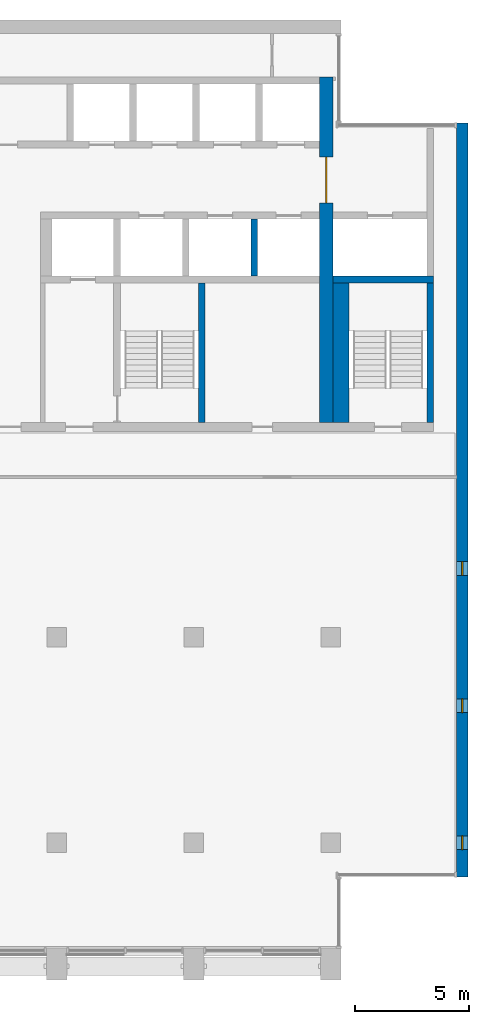
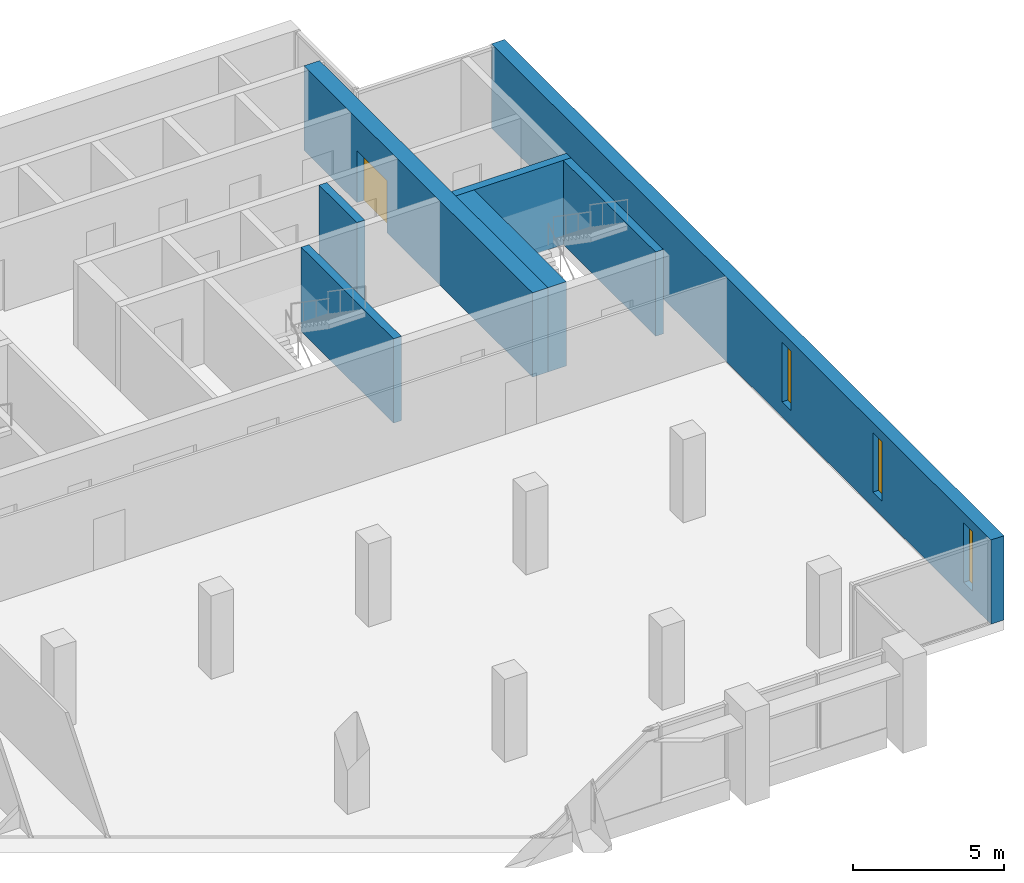
# One storey, part 9 of 14: 7 walls, 3 windows, 1 door, 4 openings.
"""IFC4 building model written with IfcOpenShell, lengths in metres."""

from ifc_helpers import new_model, si_unit, direction, frame, frame_2d, origin, place, context, subcontext, project, spatial, rectangle, extrude, material, layer, layer_set, type_object, element, fill, save


model = new_model("IFC4")

# Units and contexts
model_context = context("Model", 3, precision=1e-05, world=origin(), true_north=direction((0.0, 1.0)))
body_context = subcontext(model_context, "Body", "Model", "MODEL_VIEW")
ifc_project = project(units=[si_unit("LENGTHUNIT", "METRE"), si_unit("AREAUNIT", "SQUARE_METRE"), si_unit("VOLUMEUNIT", "CUBIC_METRE"), si_unit("PLANEANGLEUNIT", "RADIAN"), si_unit("MASSUNIT", "GRAM", prefix="KILO")], contexts=[model_context])

# Site, building, storey
site_placement = place(None, origin())
site = spatial("IfcSite", under=ifc_project, at=site_placement, CompositionType="ELEMENT")
building_placement = place(site_placement, origin())
building = spatial("IfcBuilding", under=site, at=building_placement, Name="Calvaro Tower", CompositionType="ELEMENT")
storey_placement = place(building_placement, frame((0.0, 0.0, 250.75)))
storey = spatial("IfcBuildingStorey", under=building, at=storey_placement, Name="L63", CompositionType="ELEMENT", Elevation=250.75)

# Walls
ifc_material_1 = material(Name="Concrete C40/50", Category="concrete")
ifc_layer_1 = layer(ifc_material_1, 0.300048828125)
ifc_layer_set_1 = layer_set([ifc_layer_1], Name="Concrete C40/50")
wall_type_1 = type_object("IfcWallType", Name="Core wall C40/50 300", PredefinedType="SHEAR", material=ifc_layer_set_1)
for number, where, z_axis, x_axis, name in (
    (1, (54.35009765625, 28.39990234375, 0.0), (0.0, 0.0, 1.0), (0.0, 1.0, 0.0), "Core wall, stair enclosure"),
    (2, (64.35009765625, 28.39990234375, 0.0), (0.0, 0.0, 1.0), (0.0, 1.0, 0.0), "Core wall, stair enclosure"),
):
    element("IfcWall", number, at=place(storey_placement, frame(where, z_axis=z_axis, x_axis=x_axis)), inside=storey, type_object=wall_type_1, Name=name, PredefinedType="SHEAR", context=body_context, shape_type="SweptSolid", body=[
        extrude(rectangle(XDim=6.10009765625, YDim=0.300048828125, at=frame_2d((3.050048828125, 0.0))), origin(), (0.0, 0.0, 1.0), 3.39990234375),
    ])
wall_1_placement = place(storey_placement, frame((60.10009765625, 34.64990234375, 0.0), z_axis=(0.0, 0.0, 1.0), x_axis=(1.0, 0.0, 0.0)))
element("IfcWall", 3, at=wall_1_placement, inside=storey, type_object=wall_type_1, Name="Core wall, lift shaft", PredefinedType="SHEAR", context=body_context, shape_type="SweptSolid", body=[
    extrude(rectangle(XDim=4.39990234375, YDim=0.300048828125, at=frame_2d((2.199951171875, 0.0))), origin(), (0.0, 0.0, 1.0), 3.39990234375),
])
wall_2_placement = place(storey_placement, frame((56.64990234375, 34.800048828125, 0.0), z_axis=(0.0, 0.0, 1.0), x_axis=(0.0, 1.0, 0.0)))
element("IfcWall", 4, at=wall_2_placement, inside=storey, type_object=wall_type_1, Name="Core wall, lift shaft", PredefinedType="SHEAR", context=body_context, shape_type="SweptSolid", body=[
    extrude(rectangle(XDim=2.5, YDim=0.300048828125, at=frame_2d((1.25, 0.0))), origin(), (0.0, 0.0, 1.0), 3.39990234375),
])

# Wall, opening, door
ifc_material_2 = material(Name="Concrete C40/50", Category="concrete")
ifc_layer_2 = layer(ifc_material_2, 0.60009765625)
ifc_layer_set_2 = layer_set([ifc_layer_2], Name="Concrete C40/50")
wall_type_2 = type_object("IfcWallType", Name="Core wall C40/50 600", PredefinedType="SHEAR", material=ifc_layer_set_2)
wall_3_placement = place(storey_placement, frame((59.800048828125, 28.39990234375, 0.0), z_axis=(0.0, 0.0, 1.0), x_axis=(0.0, 1.0, 0.0)))
wall_3 = element("IfcWall", 5, at=wall_3_placement, inside=storey, type_object=wall_type_2, Name="Core wall, cross shear wall", PredefinedType="SHEAR", context=body_context, shape_type="SweptSolid", body=[
    extrude(rectangle(XDim=15.10009765625, YDim=0.60009765625, at=frame_2d((7.550048828125, 0.0))), origin(), (0.0, 0.0, 1.0), 3.39990234375),
])
opening_1_placement = place(wall_3_placement, frame((9.60009765625, 0.0, 0.0)))
opening_1 = element("IfcOpeningElement", 6, at=opening_1_placement, cuts=wall_3, Name="Opening DD20D", PredefinedType="OPENING", context=body_context, shape_type="SweptSolid", body=[
    extrude(rectangle(XDim=2.0, YDim=2.10009765625, at=frame_2d((1.0, 1.050048828125))), frame((0.0, 0.31005859375, 0.0), z_axis=(0.0, -1.0, 0.0), x_axis=(1.0, 0.0, 0.0)), (0.0, 0.0, 1.0), 0.6201171875),
])
ifc_material_3 = material(Name="Steel door set", Category="steel")
door_type = type_object("IfcDoorType", Name="Lobby double door 2000 FD30S", OperationType="DOUBLE_DOOR_SINGLE_SWING", PredefinedType="DOOR", material=ifc_material_3)
door_placement = place(opening_1_placement, origin())
door = element("IfcDoor", 7, at=door_placement, inside=storey, type_object=door_type, Name="Lobby double door", OperationType="DOUBLE_DOOR_SINGLE_SWING", OverallHeight=2.10009765625, OverallWidth=2.0, PredefinedType="DOOR", context=body_context, shape_type="SweptSolid", body=[
    extrude(rectangle(XDim=2.0, YDim=2.10009765625, at=frame_2d((1.0, 1.050048828125))), frame((0.0, 0.02490234375, 0.0), z_axis=(0.0, -1.0, 0.0), x_axis=(1.0, 0.0, 0.0)), (0.0, 0.0, 1.0), 0.050048828125),
])
fill(opening_1, door)

# Wall
ifc_material_4 = material(Name="Concrete C40/50", Category="concrete")
ifc_layer_3 = layer(ifc_material_4, 0.699951171875)
ifc_layer_set_3 = layer_set([ifc_layer_3], Name="Concrete C40/50")
wall_type_3 = type_object("IfcWallType", Name="Core wall C40/50 700", PredefinedType="SHEAR", material=ifc_layer_set_3)
wall_4_placement = place(storey_placement, frame((60.449951171875, 28.39990234375, 0.0), z_axis=(0.0, 0.0, 1.0), x_axis=(0.0, 1.0, 0.0)))
element("IfcWall", 8, at=wall_4_placement, inside=storey, type_object=wall_type_3, Name="Core wall, stair enclosure", PredefinedType="SHEAR", context=body_context, shape_type="SweptSolid", body=[
    extrude(rectangle(XDim=6.10009765625, YDim=0.699951171875, at=frame_2d((3.050048828125, 0.0))), origin(), (0.0, 0.0, 1.0), 3.39990234375),
])

# Wall, openings, windows
ifc_material_5 = material(Name="Concrete C40/50", Category="concrete")
ifc_layer_4 = layer(ifc_material_5, 0.5)
ifc_layer_set_4 = layer_set([ifc_layer_4], Name="Concrete C40/50")
wall_type_4 = type_object("IfcWallType", Name="End wall 500 C40/50", PredefinedType="SHEAR", material=ifc_layer_set_4)
wall_5_placement = place(storey_placement, frame((65.75, 8.5, 0.0), z_axis=(0.0, 0.0, 1.0), x_axis=(0.0, 1.0, 0.0)))
wall_5 = element("IfcWall", 9, at=wall_5_placement, inside=storey, type_object=wall_type_4, Name="End shear wall", PredefinedType="SHEAR", context=body_context, shape_type="SweptSolid", body=[
    extrude(rectangle(XDim=33.0, YDim=0.5, at=frame_2d((16.5, 0.0))), origin(), (0.0, 0.0, 1.0), 3.39990234375),
])
opening_2_placement = place(wall_5_placement, frame((1.199951171875, 0.0, 0.60009765625)))
opening_2 = element("IfcOpeningElement", 10, at=opening_2_placement, cuts=wall_5, Name="Opening WE01", PredefinedType="OPENING", context=body_context, shape_type="SweptSolid", body=[
    extrude(rectangle(XDim=0.60009765625, YDim=2.39990234375, at=frame_2d((0.300048828125, 1.199951171875))), frame((0.0, 0.260009765625, 0.0), z_axis=(0.0, -1.0, 0.0), x_axis=(1.0, 0.0, 0.0)), (0.0, 0.0, 1.0), 0.52001953125),
])
opening_3_placement = place(wall_5_placement, frame((7.199951171875, 0.0, 0.60009765625)))
opening_3 = element("IfcOpeningElement", 11, at=opening_3_placement, cuts=wall_5, Name="Opening WE02", PredefinedType="OPENING", context=body_context, shape_type="SweptSolid", body=[
    extrude(rectangle(XDim=0.60009765625, YDim=2.39990234375, at=frame_2d((0.300048828125, 1.199951171875))), frame((0.0, 0.260009765625, 0.0), z_axis=(0.0, -1.0, 0.0), x_axis=(1.0, 0.0, 0.0)), (0.0, 0.0, 1.0), 0.52001953125),
])
opening_4_placement = place(wall_5_placement, frame((13.199951171875, 0.0, 0.60009765625)))
opening_4 = element("IfcOpeningElement", 12, at=opening_4_placement, cuts=wall_5, Name="Opening WE03", PredefinedType="OPENING", context=body_context, shape_type="SweptSolid", body=[
    extrude(rectangle(XDim=0.60009765625, YDim=2.39990234375, at=frame_2d((0.300048828125, 1.199951171875))), frame((0.0, 0.260009765625, 0.0), z_axis=(0.0, -1.0, 0.0), x_axis=(1.0, 0.0, 0.0)), (0.0, 0.0, 1.0), 0.52001953125),
])
ifc_material_6 = material(Name="Glass", Category="glass")
window_type = type_object("IfcWindowType", Name="Slit window 600 x 2400", PartitioningType="SINGLE_PANEL", PredefinedType="WINDOW", material=ifc_material_6)
window_1_placement = place(opening_2_placement, origin())
window_1 = element("IfcWindow", 13, at=window_1_placement, inside=storey, type_object=window_type, Name="Window WE01", OverallHeight=2.39990234375, OverallWidth=0.60009765625, PartitioningType="SINGLE_PANEL", PredefinedType="WINDOW", context=body_context, shape_type="SweptSolid", body=[
    extrude(rectangle(XDim=0.60009765625, YDim=2.39990234375, at=frame_2d((0.300048828125, 1.199951171875))), frame((0.0, 0.030029296875, 0.0), z_axis=(0.0, -1.0, 0.0), x_axis=(1.0, 0.0, 0.0)), (0.0, 0.0, 1.0), 0.06005859375),
])
fill(opening_2, window_1)
window_2_placement = place(opening_3_placement, origin())
window_2 = element("IfcWindow", 14, at=window_2_placement, inside=storey, type_object=window_type, Name="Window WE02", OverallHeight=2.39990234375, OverallWidth=0.60009765625, PartitioningType="SINGLE_PANEL", PredefinedType="WINDOW", context=body_context, shape_type="SweptSolid", body=[
    extrude(rectangle(XDim=0.60009765625, YDim=2.39990234375, at=frame_2d((0.300048828125, 1.199951171875))), frame((0.0, 0.030029296875, 0.0), z_axis=(0.0, -1.0, 0.0), x_axis=(1.0, 0.0, 0.0)), (0.0, 0.0, 1.0), 0.06005859375),
])
fill(opening_3, window_2)
window_3_placement = place(opening_4_placement, origin())
window_3 = element("IfcWindow", 15, at=window_3_placement, inside=storey, type_object=window_type, Name="Window WE03", OverallHeight=2.39990234375, OverallWidth=0.60009765625, PartitioningType="SINGLE_PANEL", PredefinedType="WINDOW", context=body_context, shape_type="SweptSolid", body=[
    extrude(rectangle(XDim=0.60009765625, YDim=2.39990234375, at=frame_2d((0.300048828125, 1.199951171875))), frame((0.0, 0.030029296875, 0.0), z_axis=(0.0, -1.0, 0.0), x_axis=(1.0, 0.0, 0.0)), (0.0, 0.0, 1.0), 0.06005859375),
])
fill(opening_4, window_3)

save(model, "model.ifc")
